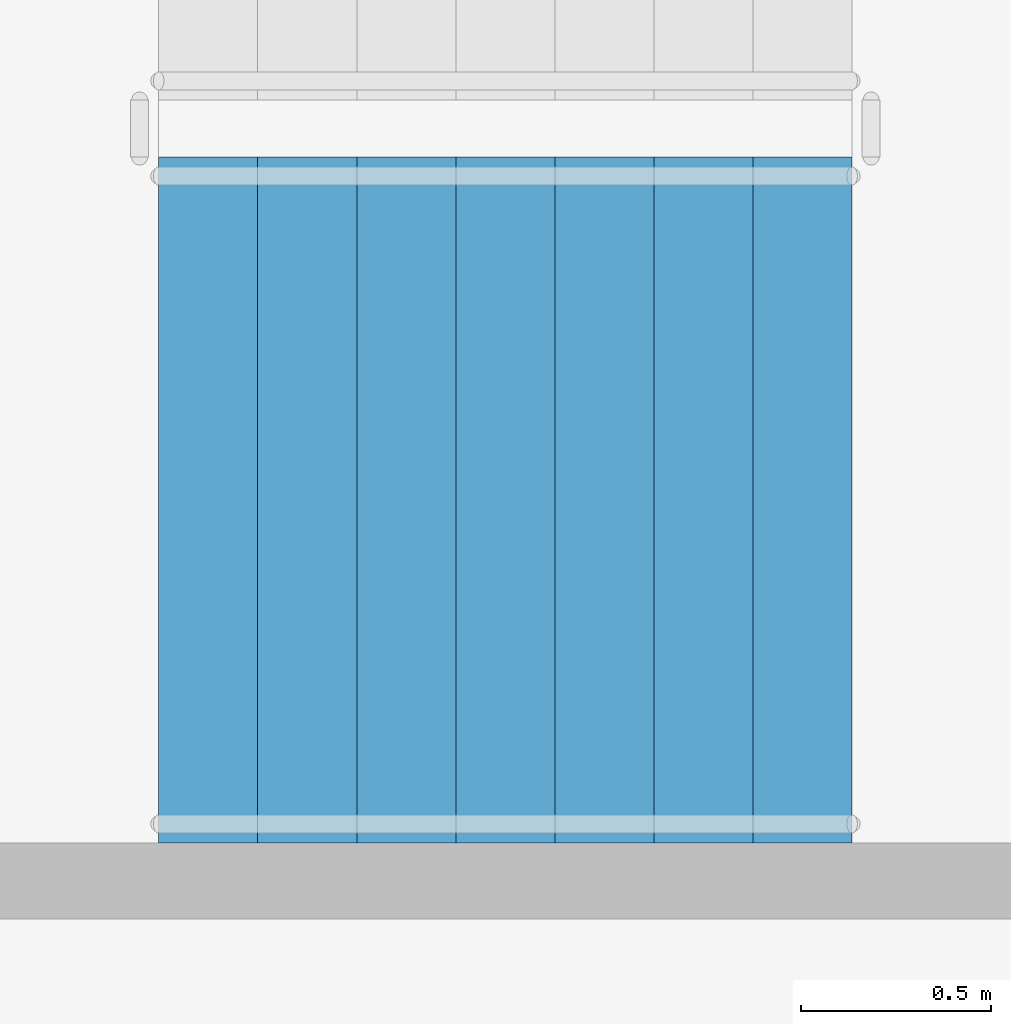
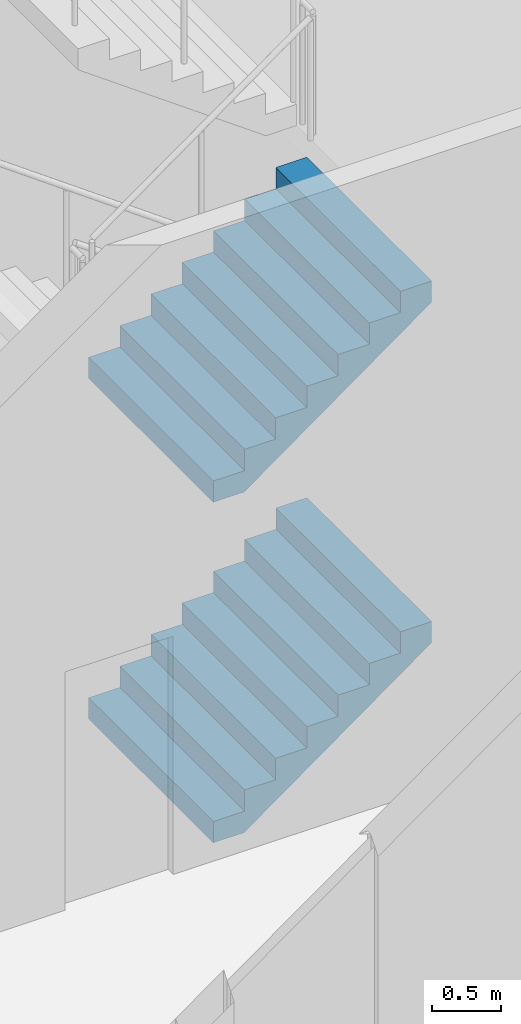
# One storey, part 49 of 75: 2 stair flights, 1 element without a shape of its own.
"""IFC4 building model written with IfcOpenShell, lengths in metres."""

from ifc_helpers import new_model, si_unit, direction, frame, origin, place, context, subcontext, project, spatial, faceted_brep, material, type_object, element, aggregate, save


model = new_model("IFC4")

# Units and contexts
model_context = context("Model", 3, precision=1e-05, world=origin(), true_north=direction((0.0, 1.0)))
body_context = subcontext(model_context, "Body", "Model", "MODEL_VIEW")
ifc_project = project(units=[si_unit("LENGTHUNIT", "METRE"), si_unit("AREAUNIT", "SQUARE_METRE"), si_unit("VOLUMEUNIT", "CUBIC_METRE"), si_unit("PLANEANGLEUNIT", "RADIAN"), si_unit("MASSUNIT", "GRAM", prefix="KILO")], contexts=[model_context])

# Site, building, storey
site_placement = place(None, origin())
site = spatial("IfcSite", under=ifc_project, at=site_placement, CompositionType="ELEMENT")
building_placement = place(site_placement, origin())
building = spatial("IfcBuilding", under=site, at=building_placement, Name="Ipe Terrace Towers", CompositionType="ELEMENT")
storey_placement = place(building_placement, origin())
storey = spatial("IfcBuildingStorey", under=building, at=storey_placement, Name="L00", CompositionType="ELEMENT", Elevation=0.0)

# Stair, stair flights
ifc_material_1 = material(Name="Concrete C30/37", Category="concrete")
stair_type = type_object("IfcStairType", Name="Protected exit stair", PredefinedType="HALF_TURN_STAIR", material=ifc_material_1)
stair_placement = place(storey_placement, origin())
stair = element("IfcStair", 1, at=stair_placement, inside=storey, type_object=stair_type, Name="L00 Podium exit stair PS6", PredefinedType="HALF_TURN_STAIR")
ifc_material_2 = material(Name="Concrete C30/37", Category="concrete")
stair_flight_type = type_object("IfcStairFlightType", Name="Exit stair flight 1800", PredefinedType="STRAIGHT", material=ifc_material_2)
stair_flight_1_placement = place(storey_placement, frame((49.77001953125, -22.5, 0.0), z_axis=(0.0, 0.0, 1.0), x_axis=(1.0, 0.0, 0.0)))
stair_flight_1 = element("IfcStairFlight", 2, at=stair_flight_1_placement, type_object=stair_flight_type, Name="PS6 flight 1", NumberOfRisers=8, NumberOfTreads=7, PredefinedType="STRAIGHT", RiserHeight=0.1875, TreadLength=0.26, context=body_context, shape_type="Brep", body=[
    faceted_brep([(0.25634765625, -0.89990234375, 0.0), (1.820068359375, -0.89990234375, 1.127685546875), (1.820068359375, -0.89990234375, 1.3125), (1.56005859375, -0.89990234375, 1.3125), (1.56005859375, -0.89990234375, 1.125), (1.300048828125, -0.89990234375, 1.125), (1.300048828125, -0.89990234375, 0.9375), (1.0400390625, -0.89990234375, 0.9375), (1.0400390625, -0.89990234375, 0.75), (0.780029296875, -0.89990234375, 0.75), (0.780029296875, -0.89990234375, 0.5625), (0.52001953125, -0.89990234375, 0.5625), (0.52001953125, -0.89990234375, 0.375), (0.260009765625, -0.89990234375, 0.375), (0.260009765625, -0.89990234375, 0.1875), (0.0, -0.89990234375, 0.1875), (0.0, -0.89990234375, 0.0), (0.0, 0.89990234375, 0.0), (0.0, 0.89990234375, 0.1875), (0.260009765625, 0.89990234375, 0.1875), (0.260009765625, 0.89990234375, 0.375), (0.52001953125, 0.89990234375, 0.375), (0.52001953125, 0.89990234375, 0.5625), (0.780029296875, 0.89990234375, 0.5625), (0.780029296875, 0.89990234375, 0.75), (1.0400390625, 0.89990234375, 0.75), (1.0400390625, 0.89990234375, 0.9375), (1.300048828125, 0.89990234375, 0.9375), (1.300048828125, 0.89990234375, 1.125), (1.56005859375, 0.89990234375, 1.125), (1.56005859375, 0.89990234375, 1.3125), (1.820068359375, 0.89990234375, 1.3125), (1.820068359375, 0.89990234375, 1.127685546875), (0.25634765625, 0.89990234375, 0.0), (0.0, -0.300048828125, 0.1875), (0.0, -0.1201171875, 0.1875), (0.0, -0.06005859375, 0.1875), (0.0, -0.030029296875, 0.1875), (0.0, -0.010009765625, 0.1875), (0.0, 0.0, 0.1875), (0.0, 0.010009765625, 0.1875), (0.0, 0.030029296875, 0.1875), (0.0, 0.06005859375, 0.1875), (0.0, 0.1201171875, 0.1875), (0.0, 0.300048828125, 0.1875), (0.0, 0.300048828125, 0.0), (0.0, 0.1201171875, 0.0), (0.0, 0.06005859375, 0.0), (0.0, 0.030029296875, 0.0), (0.0, 0.010009765625, 0.0), (0.0, 0.0, 0.0), (0.0, -0.010009765625, 0.0), (0.0, -0.030029296875, 0.0), (0.0, -0.06005859375, 0.0), (0.0, -0.1201171875, 0.0), (0.0, -0.300048828125, 0.0), (0.260009765625, -0.300048828125, 0.1875), (0.260009765625, -0.1201171875, 0.1875), (0.260009765625, -0.06005859375, 0.1875), (0.260009765625, -0.030029296875, 0.1875), (0.260009765625, -0.010009765625, 0.1875), (0.260009765625, 0.0, 0.1875), (0.260009765625, 0.010009765625, 0.1875), (0.260009765625, 0.030029296875, 0.1875), (0.260009765625, 0.06005859375, 0.1875), (0.260009765625, 0.1201171875, 0.1875), (0.260009765625, 0.300048828125, 0.1875), (0.260009765625, -0.300048828125, 0.375), (0.260009765625, -0.1201171875, 0.375), (0.260009765625, -0.06005859375, 0.375), (0.260009765625, -0.030029296875, 0.375), (0.260009765625, -0.010009765625, 0.375), (0.260009765625, 0.0, 0.375), (0.260009765625, 0.010009765625, 0.375), (0.260009765625, 0.030029296875, 0.375), (0.260009765625, 0.06005859375, 0.375), (0.260009765625, 0.1201171875, 0.375), (0.260009765625, 0.300048828125, 0.375), (0.52001953125, -0.300048828125, 0.375), (0.52001953125, -0.1201171875, 0.375), (0.52001953125, -0.06005859375, 0.375), (0.52001953125, -0.030029296875, 0.375), (0.52001953125, -0.010009765625, 0.375), (0.52001953125, 0.0, 0.375), (0.52001953125, 0.010009765625, 0.375), (0.52001953125, 0.030029296875, 0.375), (0.52001953125, 0.06005859375, 0.375), (0.52001953125, 0.1201171875, 0.375), (0.52001953125, 0.300048828125, 0.375), (0.52001953125, -0.300048828125, 0.5625), (0.52001953125, -0.1201171875, 0.5625), (0.52001953125, -0.06005859375, 0.5625), (0.52001953125, -0.030029296875, 0.5625), (0.52001953125, -0.010009765625, 0.5625), (0.52001953125, 0.0, 0.5625), (0.52001953125, 0.010009765625, 0.5625), (0.52001953125, 0.030029296875, 0.5625), (0.52001953125, 0.06005859375, 0.5625), (0.52001953125, 0.1201171875, 0.5625), (0.52001953125, 0.300048828125, 0.5625), (0.780029296875, -0.300048828125, 0.5625), (0.780029296875, -0.1201171875, 0.5625), (0.780029296875, -0.06005859375, 0.5625), (0.780029296875, -0.030029296875, 0.5625), (0.780029296875, -0.010009765625, 0.5625), (0.780029296875, 0.0, 0.5625), (0.780029296875, 0.010009765625, 0.5625), (0.780029296875, 0.030029296875, 0.5625), (0.780029296875, 0.06005859375, 0.5625), (0.780029296875, 0.1201171875, 0.5625), (0.780029296875, 0.300048828125, 0.5625), (0.780029296875, -0.300048828125, 0.75), (0.780029296875, -0.1201171875, 0.75), (0.780029296875, -0.06005859375, 0.75), (0.780029296875, -0.030029296875, 0.75), (0.780029296875, -0.010009765625, 0.75), (0.780029296875, 0.0, 0.75), (0.780029296875, 0.010009765625, 0.75), (0.780029296875, 0.030029296875, 0.75), (0.780029296875, 0.06005859375, 0.75), (0.780029296875, 0.1201171875, 0.75), (0.780029296875, 0.300048828125, 0.75), (1.0400390625, -0.300048828125, 0.75), (1.0400390625, -0.1201171875, 0.75), (1.0400390625, -0.06005859375, 0.75), (1.0400390625, -0.030029296875, 0.75), (1.0400390625, -0.010009765625, 0.75), (1.0400390625, 0.0, 0.75), (1.0400390625, 0.010009765625, 0.75), (1.0400390625, 0.030029296875, 0.75), (1.0400390625, 0.06005859375, 0.75), (1.0400390625, 0.1201171875, 0.75), (1.0400390625, 0.300048828125, 0.75), (1.0400390625, -0.300048828125, 0.9375), (1.0400390625, -0.1201171875, 0.9375), (1.0400390625, -0.06005859375, 0.9375), (1.0400390625, -0.030029296875, 0.9375), (1.0400390625, -0.010009765625, 0.9375), (1.0400390625, 0.0, 0.9375), (1.0400390625, 0.010009765625, 0.9375), (1.0400390625, 0.030029296875, 0.9375), (1.0400390625, 0.06005859375, 0.9375), (1.0400390625, 0.1201171875, 0.9375), (1.0400390625, 0.300048828125, 0.9375), (1.300048828125, -0.300048828125, 0.9375), (1.300048828125, -0.1201171875, 0.9375), (1.300048828125, -0.06005859375, 0.9375), (1.300048828125, -0.030029296875, 0.9375), (1.300048828125, -0.010009765625, 0.9375), (1.300048828125, 0.0, 0.9375), (1.300048828125, 0.010009765625, 0.9375), (1.300048828125, 0.030029296875, 0.9375), (1.300048828125, 0.06005859375, 0.9375), (1.300048828125, 0.1201171875, 0.9375), (1.300048828125, 0.300048828125, 0.9375), (1.300048828125, -0.300048828125, 1.125), (1.300048828125, -0.1201171875, 1.125), (1.300048828125, -0.06005859375, 1.125), (1.300048828125, -0.030029296875, 1.125), (1.300048828125, -0.010009765625, 1.125), (1.300048828125, 0.0, 1.125), (1.300048828125, 0.010009765625, 1.125), (1.300048828125, 0.030029296875, 1.125), (1.300048828125, 0.06005859375, 1.125), (1.300048828125, 0.1201171875, 1.125), (1.300048828125, 0.300048828125, 1.125), (1.56005859375, -0.300048828125, 1.125), (1.56005859375, -0.1201171875, 1.125), (1.56005859375, -0.06005859375, 1.125), (1.56005859375, -0.030029296875, 1.125), (1.56005859375, -0.010009765625, 1.125), (1.56005859375, 0.0, 1.125), (1.56005859375, 0.010009765625, 1.125), (1.56005859375, 0.030029296875, 1.125), (1.56005859375, 0.06005859375, 1.125), (1.56005859375, 0.1201171875, 1.125), (1.56005859375, 0.300048828125, 1.125), (1.56005859375, -0.300048828125, 1.3125), (1.56005859375, -0.1201171875, 1.3125), (1.56005859375, -0.06005859375, 1.3125), (1.56005859375, -0.030029296875, 1.3125), (1.56005859375, -0.010009765625, 1.3125), (1.56005859375, 0.0, 1.3125), (1.56005859375, 0.010009765625, 1.3125), (1.56005859375, 0.030029296875, 1.3125), (1.56005859375, 0.06005859375, 1.3125), (1.56005859375, 0.1201171875, 1.3125), (1.56005859375, 0.300048828125, 1.3125), (1.820068359375, -0.300048828125, 1.3125), (1.820068359375, -0.1201171875, 1.3125), (1.820068359375, -0.06005859375, 1.3125), (1.820068359375, -0.030029296875, 1.3125), (1.820068359375, -0.010009765625, 1.3125), (1.820068359375, 0.0, 1.3125), (1.820068359375, 0.010009765625, 1.3125), (1.820068359375, 0.030029296875, 1.3125), (1.820068359375, 0.06005859375, 1.3125), (1.820068359375, 0.1201171875, 1.3125), (1.820068359375, 0.300048828125, 1.3125), (1.820068359375, -0.300048828125, 1.127685546875), (1.820068359375, -0.1201171875, 1.127685546875), (1.820068359375, -0.06005859375, 1.127685546875), (1.820068359375, -0.030029296875, 1.127685546875), (1.820068359375, -0.010009765625, 1.127685546875), (1.820068359375, 0.0, 1.127685546875), (1.820068359375, 0.010009765625, 1.127685546875), (1.820068359375, 0.030029296875, 1.127685546875), (1.820068359375, 0.06005859375, 1.127685546875), (1.820068359375, 0.1201171875, 1.127685546875), (1.820068359375, 0.300048828125, 1.127685546875), (0.25634765625, -0.300048828125, 0.0), (0.25634765625, -0.1201171875, 0.0), (0.25634765625, -0.06005859375, 0.0), (0.25634765625, -0.030029296875, 0.0), (0.25634765625, -0.010009765625, 0.0), (0.25634765625, 0.0, 0.0), (0.25634765625, 0.010009765625, 0.0), (0.25634765625, 0.030029296875, 0.0), (0.25634765625, 0.06005859375, 0.0), (0.25634765625, 0.1201171875, 0.0), (0.25634765625, 0.300048828125, 0.0)], [[[0, 1, 2, 3, 4, 5, 6, 7, 8, 9, 10, 11, 12, 13, 14, 15, 16]], [[17, 18, 19, 20, 21, 22, 23, 24, 25, 26, 27, 28, 29, 30, 31, 32, 33]], [[15, 34, 35, 36, 37, 38, 39, 40, 41, 42, 43, 44, 18, 17, 45, 46, 47, 48, 49, 50, 51, 52, 53, 54, 55, 16]], [[14, 56, 57, 58, 59, 60, 61, 62, 63, 64, 65, 66, 19, 18, 44, 43, 42, 41, 40, 39, 38, 37, 36, 35, 34, 15]], [[13, 67, 68, 69, 70, 71, 72, 73, 74, 75, 76, 77, 20, 19, 66, 65, 64, 63, 62, 61, 60, 59, 58, 57, 56, 14]], [[12, 78, 79, 80, 81, 82, 83, 84, 85, 86, 87, 88, 21, 20, 77, 76, 75, 74, 73, 72, 71, 70, 69, 68, 67, 13]], [[11, 89, 90, 91, 92, 93, 94, 95, 96, 97, 98, 99, 22, 21, 88, 87, 86, 85, 84, 83, 82, 81, 80, 79, 78, 12]], [[10, 100, 101, 102, 103, 104, 105, 106, 107, 108, 109, 110, 23, 22, 99, 98, 97, 96, 95, 94, 93, 92, 91, 90, 89, 11]], [[9, 111, 112, 113, 114, 115, 116, 117, 118, 119, 120, 121, 24, 23, 110, 109, 108, 107, 106, 105, 104, 103, 102, 101, 100, 10]], [[8, 122, 123, 124, 125, 126, 127, 128, 129, 130, 131, 132, 25, 24, 121, 120, 119, 118, 117, 116, 115, 114, 113, 112, 111, 9]], [[7, 133, 134, 135, 136, 137, 138, 139, 140, 141, 142, 143, 26, 25, 132, 131, 130, 129, 128, 127, 126, 125, 124, 123, 122, 8]], [[6, 144, 145, 146, 147, 148, 149, 150, 151, 152, 153, 154, 27, 26, 143, 142, 141, 140, 139, 138, 137, 136, 135, 134, 133, 7]], [[5, 155, 156, 157, 158, 159, 160, 161, 162, 163, 164, 165, 28, 27, 154, 153, 152, 151, 150, 149, 148, 147, 146, 145, 144, 6]], [[4, 166, 167, 168, 169, 170, 171, 172, 173, 174, 175, 176, 29, 28, 165, 164, 163, 162, 161, 160, 159, 158, 157, 156, 155, 5]], [[3, 177, 178, 179, 180, 181, 182, 183, 184, 185, 186, 187, 30, 29, 176, 175, 174, 173, 172, 171, 170, 169, 168, 167, 166, 4]], [[2, 188, 189, 190, 191, 192, 193, 194, 195, 196, 197, 198, 31, 30, 187, 186, 185, 184, 183, 182, 181, 180, 179, 178, 177, 3]], [[1, 199, 200, 201, 202, 203, 204, 205, 206, 207, 208, 209, 32, 31, 198, 197, 196, 195, 194, 193, 192, 191, 190, 189, 188, 2]], [[0, 210, 211, 212, 213, 214, 215, 216, 217, 218, 219, 220, 33, 32, 209, 208, 207, 206, 205, 204, 203, 202, 201, 200, 199, 1]], [[16, 55, 54, 53, 52, 51, 50, 49, 48, 47, 46, 45, 17, 33, 220, 219, 218, 217, 216, 215, 214, 213, 212, 211, 210, 0]]]),
])
stair_flight_2_placement = place(storey_placement, frame((49.77001953125, -22.5, 3.0), z_axis=(0.0, 0.0, 1.0), x_axis=(1.0, 0.0, 0.0)))
stair_flight_2 = element("IfcStairFlight", 3, at=stair_flight_2_placement, type_object=stair_flight_type, Name="PS6 flight 3", NumberOfRisers=8, NumberOfTreads=7, PredefinedType="STRAIGHT", RiserHeight=0.1875, TreadLength=0.26, context=body_context, shape_type="Brep", body=[
    faceted_brep([(0.25634765625, -0.89990234375, 0.0), (1.820068359375, -0.89990234375, 1.127685546875), (1.820068359375, -0.89990234375, 1.3125), (1.56005859375, -0.89990234375, 1.3125), (1.56005859375, -0.89990234375, 1.125), (1.300048828125, -0.89990234375, 1.125), (1.300048828125, -0.89990234375, 0.9375), (1.0400390625, -0.89990234375, 0.9375), (1.0400390625, -0.89990234375, 0.75), (0.780029296875, -0.89990234375, 0.75), (0.780029296875, -0.89990234375, 0.5625), (0.52001953125, -0.89990234375, 0.5625), (0.52001953125, -0.89990234375, 0.375), (0.260009765625, -0.89990234375, 0.375), (0.260009765625, -0.89990234375, 0.1875), (0.0, -0.89990234375, 0.1875), (0.0, -0.89990234375, 0.0), (0.0, 0.89990234375, 0.0), (0.0, 0.89990234375, 0.1875), (0.260009765625, 0.89990234375, 0.1875), (0.260009765625, 0.89990234375, 0.375), (0.52001953125, 0.89990234375, 0.375), (0.52001953125, 0.89990234375, 0.5625), (0.780029296875, 0.89990234375, 0.5625), (0.780029296875, 0.89990234375, 0.75), (1.0400390625, 0.89990234375, 0.75), (1.0400390625, 0.89990234375, 0.9375), (1.300048828125, 0.89990234375, 0.9375), (1.300048828125, 0.89990234375, 1.125), (1.56005859375, 0.89990234375, 1.125), (1.56005859375, 0.89990234375, 1.3125), (1.820068359375, 0.89990234375, 1.3125), (1.820068359375, 0.89990234375, 1.127685546875), (0.25634765625, 0.89990234375, 0.0), (0.0, -0.300048828125, 0.1875), (0.0, -0.1201171875, 0.1875), (0.0, -0.06005859375, 0.1875), (0.0, -0.030029296875, 0.1875), (0.0, -0.010009765625, 0.1875), (0.0, 0.0, 0.1875), (0.0, 0.010009765625, 0.1875), (0.0, 0.030029296875, 0.1875), (0.0, 0.06005859375, 0.1875), (0.0, 0.1201171875, 0.1875), (0.0, 0.300048828125, 0.1875), (0.0, 0.300048828125, 0.0), (0.0, 0.1201171875, 0.0), (0.0, 0.06005859375, 0.0), (0.0, 0.030029296875, 0.0), (0.0, 0.010009765625, 0.0), (0.0, 0.0, 0.0), (0.0, -0.010009765625, 0.0), (0.0, -0.030029296875, 0.0), (0.0, -0.06005859375, 0.0), (0.0, -0.1201171875, 0.0), (0.0, -0.300048828125, 0.0), (0.260009765625, -0.300048828125, 0.1875), (0.260009765625, -0.1201171875, 0.1875), (0.260009765625, -0.06005859375, 0.1875), (0.260009765625, -0.030029296875, 0.1875), (0.260009765625, -0.010009765625, 0.1875), (0.260009765625, 0.0, 0.1875), (0.260009765625, 0.010009765625, 0.1875), (0.260009765625, 0.030029296875, 0.1875), (0.260009765625, 0.06005859375, 0.1875), (0.260009765625, 0.1201171875, 0.1875), (0.260009765625, 0.300048828125, 0.1875), (0.260009765625, -0.300048828125, 0.375), (0.260009765625, -0.1201171875, 0.375), (0.260009765625, -0.06005859375, 0.375), (0.260009765625, -0.030029296875, 0.375), (0.260009765625, -0.010009765625, 0.375), (0.260009765625, 0.0, 0.375), (0.260009765625, 0.010009765625, 0.375), (0.260009765625, 0.030029296875, 0.375), (0.260009765625, 0.06005859375, 0.375), (0.260009765625, 0.1201171875, 0.375), (0.260009765625, 0.300048828125, 0.375), (0.52001953125, -0.300048828125, 0.375), (0.52001953125, -0.1201171875, 0.375), (0.52001953125, -0.06005859375, 0.375), (0.52001953125, -0.030029296875, 0.375), (0.52001953125, -0.010009765625, 0.375), (0.52001953125, 0.0, 0.375), (0.52001953125, 0.010009765625, 0.375), (0.52001953125, 0.030029296875, 0.375), (0.52001953125, 0.06005859375, 0.375), (0.52001953125, 0.1201171875, 0.375), (0.52001953125, 0.300048828125, 0.375), (0.52001953125, -0.300048828125, 0.5625), (0.52001953125, -0.1201171875, 0.5625), (0.52001953125, -0.06005859375, 0.5625), (0.52001953125, -0.030029296875, 0.5625), (0.52001953125, -0.010009765625, 0.5625), (0.52001953125, 0.0, 0.5625), (0.52001953125, 0.010009765625, 0.5625), (0.52001953125, 0.030029296875, 0.5625), (0.52001953125, 0.06005859375, 0.5625), (0.52001953125, 0.1201171875, 0.5625), (0.52001953125, 0.300048828125, 0.5625), (0.780029296875, -0.300048828125, 0.5625), (0.780029296875, -0.1201171875, 0.5625), (0.780029296875, -0.06005859375, 0.5625), (0.780029296875, -0.030029296875, 0.5625), (0.780029296875, -0.010009765625, 0.5625), (0.780029296875, 0.0, 0.5625), (0.780029296875, 0.010009765625, 0.5625), (0.780029296875, 0.030029296875, 0.5625), (0.780029296875, 0.06005859375, 0.5625), (0.780029296875, 0.1201171875, 0.5625), (0.780029296875, 0.300048828125, 0.5625), (0.780029296875, -0.300048828125, 0.75), (0.780029296875, -0.1201171875, 0.75), (0.780029296875, -0.06005859375, 0.75), (0.780029296875, -0.030029296875, 0.75), (0.780029296875, -0.010009765625, 0.75), (0.780029296875, 0.0, 0.75), (0.780029296875, 0.010009765625, 0.75), (0.780029296875, 0.030029296875, 0.75), (0.780029296875, 0.06005859375, 0.75), (0.780029296875, 0.1201171875, 0.75), (0.780029296875, 0.300048828125, 0.75), (1.0400390625, -0.300048828125, 0.75), (1.0400390625, -0.1201171875, 0.75), (1.0400390625, -0.06005859375, 0.75), (1.0400390625, -0.030029296875, 0.75), (1.0400390625, -0.010009765625, 0.75), (1.0400390625, 0.0, 0.75), (1.0400390625, 0.010009765625, 0.75), (1.0400390625, 0.030029296875, 0.75), (1.0400390625, 0.06005859375, 0.75), (1.0400390625, 0.1201171875, 0.75), (1.0400390625, 0.300048828125, 0.75), (1.0400390625, -0.300048828125, 0.9375), (1.0400390625, -0.1201171875, 0.9375), (1.0400390625, -0.06005859375, 0.9375), (1.0400390625, -0.030029296875, 0.9375), (1.0400390625, -0.010009765625, 0.9375), (1.0400390625, 0.0, 0.9375), (1.0400390625, 0.010009765625, 0.9375), (1.0400390625, 0.030029296875, 0.9375), (1.0400390625, 0.06005859375, 0.9375), (1.0400390625, 0.1201171875, 0.9375), (1.0400390625, 0.300048828125, 0.9375), (1.300048828125, -0.300048828125, 0.9375), (1.300048828125, -0.1201171875, 0.9375), (1.300048828125, -0.06005859375, 0.9375), (1.300048828125, -0.030029296875, 0.9375), (1.300048828125, -0.010009765625, 0.9375), (1.300048828125, 0.0, 0.9375), (1.300048828125, 0.010009765625, 0.9375), (1.300048828125, 0.030029296875, 0.9375), (1.300048828125, 0.06005859375, 0.9375), (1.300048828125, 0.1201171875, 0.9375), (1.300048828125, 0.300048828125, 0.9375), (1.300048828125, -0.300048828125, 1.125), (1.300048828125, -0.1201171875, 1.125), (1.300048828125, -0.06005859375, 1.125), (1.300048828125, -0.030029296875, 1.125), (1.300048828125, -0.010009765625, 1.125), (1.300048828125, 0.0, 1.125), (1.300048828125, 0.010009765625, 1.125), (1.300048828125, 0.030029296875, 1.125), (1.300048828125, 0.06005859375, 1.125), (1.300048828125, 0.1201171875, 1.125), (1.300048828125, 0.300048828125, 1.125), (1.56005859375, -0.300048828125, 1.125), (1.56005859375, -0.1201171875, 1.125), (1.56005859375, -0.06005859375, 1.125), (1.56005859375, -0.030029296875, 1.125), (1.56005859375, -0.010009765625, 1.125), (1.56005859375, 0.0, 1.125), (1.56005859375, 0.010009765625, 1.125), (1.56005859375, 0.030029296875, 1.125), (1.56005859375, 0.06005859375, 1.125), (1.56005859375, 0.1201171875, 1.125), (1.56005859375, 0.300048828125, 1.125), (1.56005859375, -0.300048828125, 1.3125), (1.56005859375, -0.1201171875, 1.3125), (1.56005859375, -0.06005859375, 1.3125), (1.56005859375, -0.030029296875, 1.3125), (1.56005859375, -0.010009765625, 1.3125), (1.56005859375, 0.0, 1.3125), (1.56005859375, 0.010009765625, 1.3125), (1.56005859375, 0.030029296875, 1.3125), (1.56005859375, 0.06005859375, 1.3125), (1.56005859375, 0.1201171875, 1.3125), (1.56005859375, 0.300048828125, 1.3125), (1.820068359375, -0.300048828125, 1.3125), (1.820068359375, -0.1201171875, 1.3125), (1.820068359375, -0.06005859375, 1.3125), (1.820068359375, -0.030029296875, 1.3125), (1.820068359375, -0.010009765625, 1.3125), (1.820068359375, 0.0, 1.3125), (1.820068359375, 0.010009765625, 1.3125), (1.820068359375, 0.030029296875, 1.3125), (1.820068359375, 0.06005859375, 1.3125), (1.820068359375, 0.1201171875, 1.3125), (1.820068359375, 0.300048828125, 1.3125), (1.820068359375, -0.300048828125, 1.127685546875), (1.820068359375, -0.1201171875, 1.127685546875), (1.820068359375, -0.06005859375, 1.127685546875), (1.820068359375, -0.030029296875, 1.127685546875), (1.820068359375, -0.010009765625, 1.127685546875), (1.820068359375, 0.0, 1.127685546875), (1.820068359375, 0.010009765625, 1.127685546875), (1.820068359375, 0.030029296875, 1.127685546875), (1.820068359375, 0.06005859375, 1.127685546875), (1.820068359375, 0.1201171875, 1.127685546875), (1.820068359375, 0.300048828125, 1.127685546875), (0.25634765625, -0.300048828125, 0.0), (0.25634765625, -0.1201171875, 0.0), (0.25634765625, -0.06005859375, 0.0), (0.25634765625, -0.030029296875, 0.0), (0.25634765625, -0.010009765625, 0.0), (0.25634765625, 0.0, 0.0), (0.25634765625, 0.010009765625, 0.0), (0.25634765625, 0.030029296875, 0.0), (0.25634765625, 0.06005859375, 0.0), (0.25634765625, 0.1201171875, 0.0), (0.25634765625, 0.300048828125, 0.0)], [[[0, 1, 2, 3, 4, 5, 6, 7, 8, 9, 10, 11, 12, 13, 14, 15, 16]], [[17, 18, 19, 20, 21, 22, 23, 24, 25, 26, 27, 28, 29, 30, 31, 32, 33]], [[15, 34, 35, 36, 37, 38, 39, 40, 41, 42, 43, 44, 18, 17, 45, 46, 47, 48, 49, 50, 51, 52, 53, 54, 55, 16]], [[14, 56, 57, 58, 59, 60, 61, 62, 63, 64, 65, 66, 19, 18, 44, 43, 42, 41, 40, 39, 38, 37, 36, 35, 34, 15]], [[13, 67, 68, 69, 70, 71, 72, 73, 74, 75, 76, 77, 20, 19, 66, 65, 64, 63, 62, 61, 60, 59, 58, 57, 56, 14]], [[12, 78, 79, 80, 81, 82, 83, 84, 85, 86, 87, 88, 21, 20, 77, 76, 75, 74, 73, 72, 71, 70, 69, 68, 67, 13]], [[11, 89, 90, 91, 92, 93, 94, 95, 96, 97, 98, 99, 22, 21, 88, 87, 86, 85, 84, 83, 82, 81, 80, 79, 78, 12]], [[10, 100, 101, 102, 103, 104, 105, 106, 107, 108, 109, 110, 23, 22, 99, 98, 97, 96, 95, 94, 93, 92, 91, 90, 89, 11]], [[9, 111, 112, 113, 114, 115, 116, 117, 118, 119, 120, 121, 24, 23, 110, 109, 108, 107, 106, 105, 104, 103, 102, 101, 100, 10]], [[8, 122, 123, 124, 125, 126, 127, 128, 129, 130, 131, 132, 25, 24, 121, 120, 119, 118, 117, 116, 115, 114, 113, 112, 111, 9]], [[7, 133, 134, 135, 136, 137, 138, 139, 140, 141, 142, 143, 26, 25, 132, 131, 130, 129, 128, 127, 126, 125, 124, 123, 122, 8]], [[6, 144, 145, 146, 147, 148, 149, 150, 151, 152, 153, 154, 27, 26, 143, 142, 141, 140, 139, 138, 137, 136, 135, 134, 133, 7]], [[5, 155, 156, 157, 158, 159, 160, 161, 162, 163, 164, 165, 28, 27, 154, 153, 152, 151, 150, 149, 148, 147, 146, 145, 144, 6]], [[4, 166, 167, 168, 169, 170, 171, 172, 173, 174, 175, 176, 29, 28, 165, 164, 163, 162, 161, 160, 159, 158, 157, 156, 155, 5]], [[3, 177, 178, 179, 180, 181, 182, 183, 184, 185, 186, 187, 30, 29, 176, 175, 174, 173, 172, 171, 170, 169, 168, 167, 166, 4]], [[2, 188, 189, 190, 191, 192, 193, 194, 195, 196, 197, 198, 31, 30, 187, 186, 185, 184, 183, 182, 181, 180, 179, 178, 177, 3]], [[1, 199, 200, 201, 202, 203, 204, 205, 206, 207, 208, 209, 32, 31, 198, 197, 196, 195, 194, 193, 192, 191, 190, 189, 188, 2]], [[0, 210, 211, 212, 213, 214, 215, 216, 217, 218, 219, 220, 33, 32, 209, 208, 207, 206, 205, 204, 203, 202, 201, 200, 199, 1]], [[16, 55, 54, 53, 52, 51, 50, 49, 48, 47, 46, 45, 17, 33, 220, 219, 218, 217, 216, 215, 214, 213, 212, 211, 210, 0]]]),
])
aggregate(stair, [stair_flight_1, stair_flight_2])

save(model, "model.ifc")
